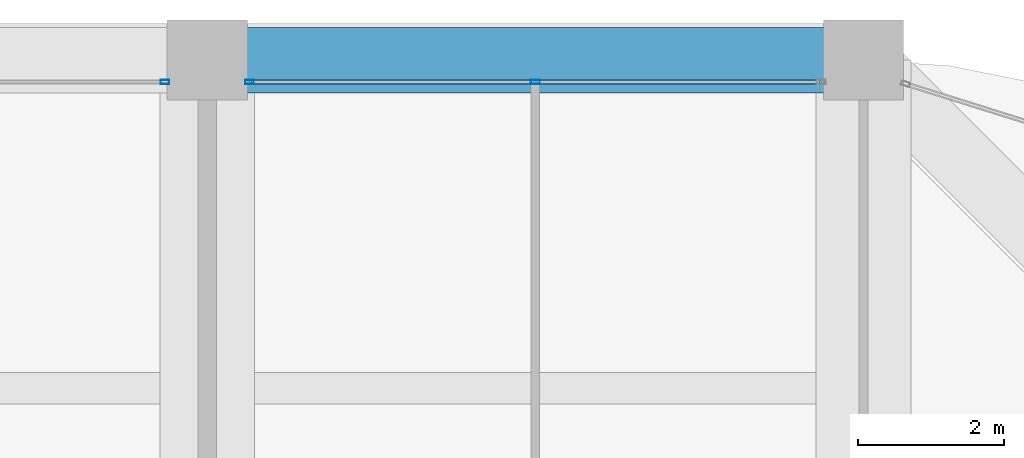
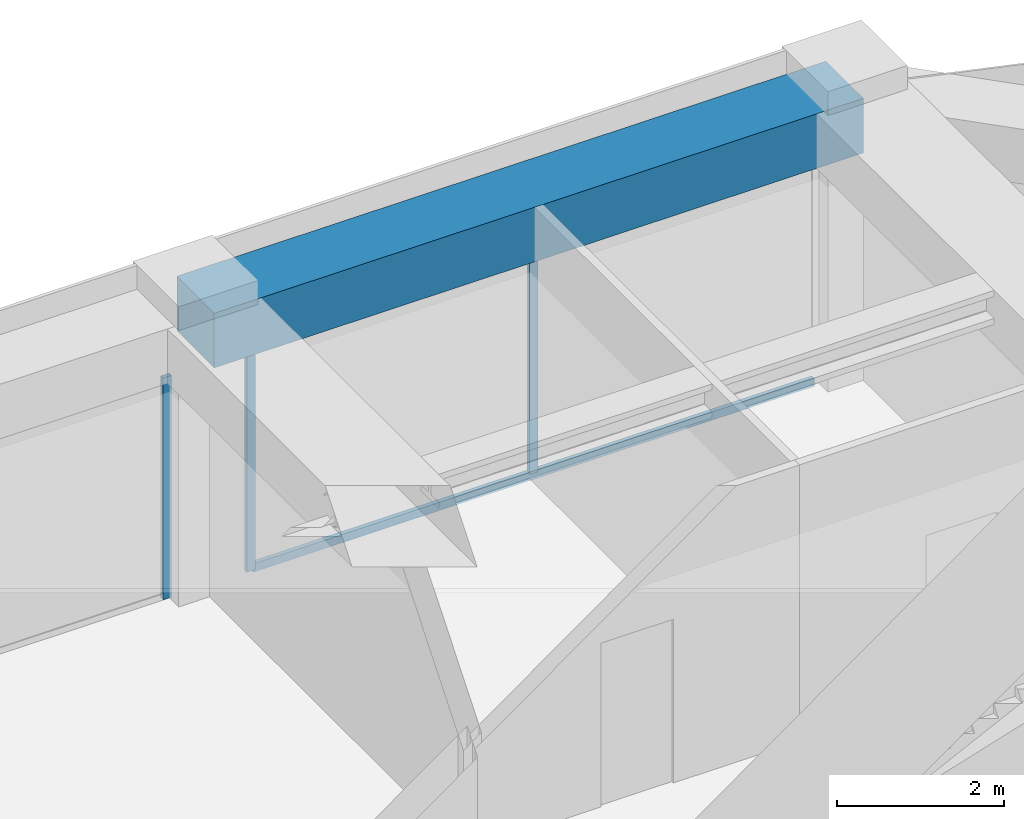
# One storey, part 35 of 44: 4 members, 1 beam, 2 elements without a shape of their own.
"""IFC4 building model written with IfcOpenShell, lengths in metres."""

from ifc_helpers import new_model, si_unit, direction, frame, origin, origin_2d, place, context, subcontext, project, spatial, rectangle, hollow_rectangle, extrude, material, material_profile, profile_set, type_object, element, aggregate, save


model = new_model("IFC4")

# Units and contexts
model_context = context("Model", 3, precision=1e-05, world=origin(), true_north=direction((0.0, 1.0)))
body_context = subcontext(model_context, "Body", "Model", "MODEL_VIEW")
ifc_project = project(units=[si_unit("LENGTHUNIT", "METRE"), si_unit("AREAUNIT", "SQUARE_METRE"), si_unit("VOLUMEUNIT", "CUBIC_METRE"), si_unit("PLANEANGLEUNIT", "RADIAN"), si_unit("MASSUNIT", "GRAM", prefix="KILO")], contexts=[model_context])

# Site, building, storey
site_placement = place(None, origin())
site = spatial("IfcSite", under=ifc_project, at=site_placement, CompositionType="ELEMENT")
building_placement = place(site_placement, origin())
building = spatial("IfcBuilding", under=site, at=building_placement, Name="Zorevar Civic Tower", CompositionType="ELEMENT")
storey_placement = place(building_placement, frame((0.0, 0.0, 307.39990234375)))
storey = spatial("IfcBuildingStorey", under=building, at=storey_placement, Name="L75", CompositionType="ELEMENT", Elevation=307.39990234375)

# Curtain wall, member
ifc_material_1 = material(Name="Dark grey solar-control glass in black aluminium frame", Category="aluminium")
curtain_wall_type = type_object("IfcCurtainWallType", Name="Curtain wall CW5 top zone", PredefinedType="NOTDEFINED", material=ifc_material_1)
curtain_wall_1_placement = place(storey_placement, origin())
curtain_wall_1 = element("IfcCurtainWall", 1, at=curtain_wall_1_placement, inside=storey, type_object=curtain_wall_type, Name="CW5 L75", PredefinedType="NOTDEFINED")
ifc_material_2 = material(Name="Aluminium, black anodised", Category="aluminium")
ifc_material_profile_1 = material_profile(ifc_material_2, hollow_rectangle(XDim=0.06005859375, YDim=0.1201171875, WallThickness=0.0029296875, at=origin_2d()), Name="AL 120x60x3")
ifc_profile_set_1 = profile_set([ifc_material_profile_1], Name="Aluminium, black anodised")
member_type_1 = type_object("IfcMemberType", Name="CW5 mullion AL 120x60x3", PredefinedType="MULLION", material=ifc_profile_set_1)
member_1_placement = place(storey_placement, frame((35.419921875, 44.699951171875, 0.0), z_axis=(0.0, 0.0, 1.0), x_axis=(0.0, 1.0, 0.0)))
member_1 = element("IfcMember", 2, at=member_1_placement, type_object=member_type_1, Name="CW5 mullion 3", PredefinedType="MULLION", context=body_context, shape_type="SweptSolid", body=[
    extrude(hollow_rectangle(XDim=0.06005859375, YDim=0.1201171875, WallThickness=0.0029296875, at=origin_2d()), origin(), (0.0, 0.0, 1.0), 3.25),
])
aggregate(curtain_wall_1, [member_1])

# Curtain wall, members
curtain_wall_2_placement = place(storey_placement, origin())
curtain_wall_2 = element("IfcCurtainWall", 3, at=curtain_wall_2_placement, inside=storey, type_object=curtain_wall_type, Name="CW5 L75", PredefinedType="NOTDEFINED")
member_2_placement = place(storey_placement, frame((36.580078125, 44.699951171875, 0.0), z_axis=(0.0, 0.0, 1.0), x_axis=(0.0, 1.0, 0.0)))
member_2 = element("IfcMember", 4, at=member_2_placement, type_object=member_type_1, Name="CW5 mullion 1", PredefinedType="MULLION", context=body_context, shape_type="SweptSolid", body=[
    extrude(hollow_rectangle(XDim=0.06005859375, YDim=0.1201171875, WallThickness=0.0029296875, at=origin_2d()), origin(), (0.0, 0.0, 1.0), 3.25),
])
member_3_placement = place(storey_placement, frame((40.5, 44.699951171875, 0.06005859375), z_axis=(0.0, 0.0, 1.0), x_axis=(0.0, 1.0, 0.0)))
member_3 = element("IfcMember", 5, at=member_3_placement, type_object=member_type_1, Name="CW5 mullion 2", PredefinedType="MULLION", context=body_context, shape_type="SweptSolid", body=[
    extrude(hollow_rectangle(XDim=0.06005859375, YDim=0.1201171875, WallThickness=0.0029296875, at=origin_2d()), origin(), (0.0, 0.0, 1.0), 3.18994140625),
])
ifc_material_3 = material(Name="Aluminium, black anodised", Category="aluminium")
ifc_material_profile_2 = material_profile(ifc_material_3, hollow_rectangle(XDim=0.06005859375, YDim=0.1201171875, WallThickness=0.0029296875, at=origin_2d()), Name="AL 120x60x3")
ifc_profile_set_2 = profile_set([ifc_material_profile_2], Name="Aluminium, black anodised")
member_type_2 = type_object("IfcMemberType", Name="CW5 transom AL 120x60x3", PredefinedType="USERDEFINED", material=ifc_profile_set_2)
member_4_placement = place(storey_placement, frame((36.610107421875, 44.699951171875, 0.030029296875), z_axis=(1.0, 0.0, 0.0), x_axis=(0.0, 1.0, 0.0)))
member_4 = element("IfcMember", 6, at=member_4_placement, type_object=member_type_2, Name="CW5 sill transom", ObjectType="TRANSOM", PredefinedType="USERDEFINED", context=body_context, shape_type="SweptSolid", body=[
    extrude(hollow_rectangle(XDim=0.06005859375, YDim=0.1201171875, WallThickness=0.0029296875, at=origin_2d()), origin(), (0.0, 0.0, 1.0), 7.77978515625),
])
aggregate(curtain_wall_2, [member_2, member_3, member_4])

# Beam
ifc_material_4 = material(Name="Concrete C50/60", Category="concrete")
ifc_material_profile_3 = material_profile(ifc_material_4, rectangle(XDim=0.89990234375, YDim=0.800048828125, at=origin_2d()), Name="RC 900x800")
ifc_profile_set_3 = profile_set([ifc_material_profile_3], Name="Concrete C50/60")
beam_type = type_object("IfcBeamType", Name="Edge beam RC 900x800", PredefinedType="SPANDREL", material=ifc_profile_set_3)
beam_placement = place(storey_placement, frame((36.0, 45.0, 3.650146484375), z_axis=(1.0, 0.0, 0.0), x_axis=(0.0, 1.0, 0.0)))
element("IfcBeam", 7, at=beam_placement, inside=storey, type_object=beam_type, Name="Edge beam RF", PredefinedType="SPANDREL", context=body_context, shape_type="SweptSolid", body=[
    extrude(rectangle(XDim=0.89990234375, YDim=0.800048828125, at=origin_2d()), origin(), (0.0, 0.0, 1.0), 9.0),
])

save(model, "model.ifc")
